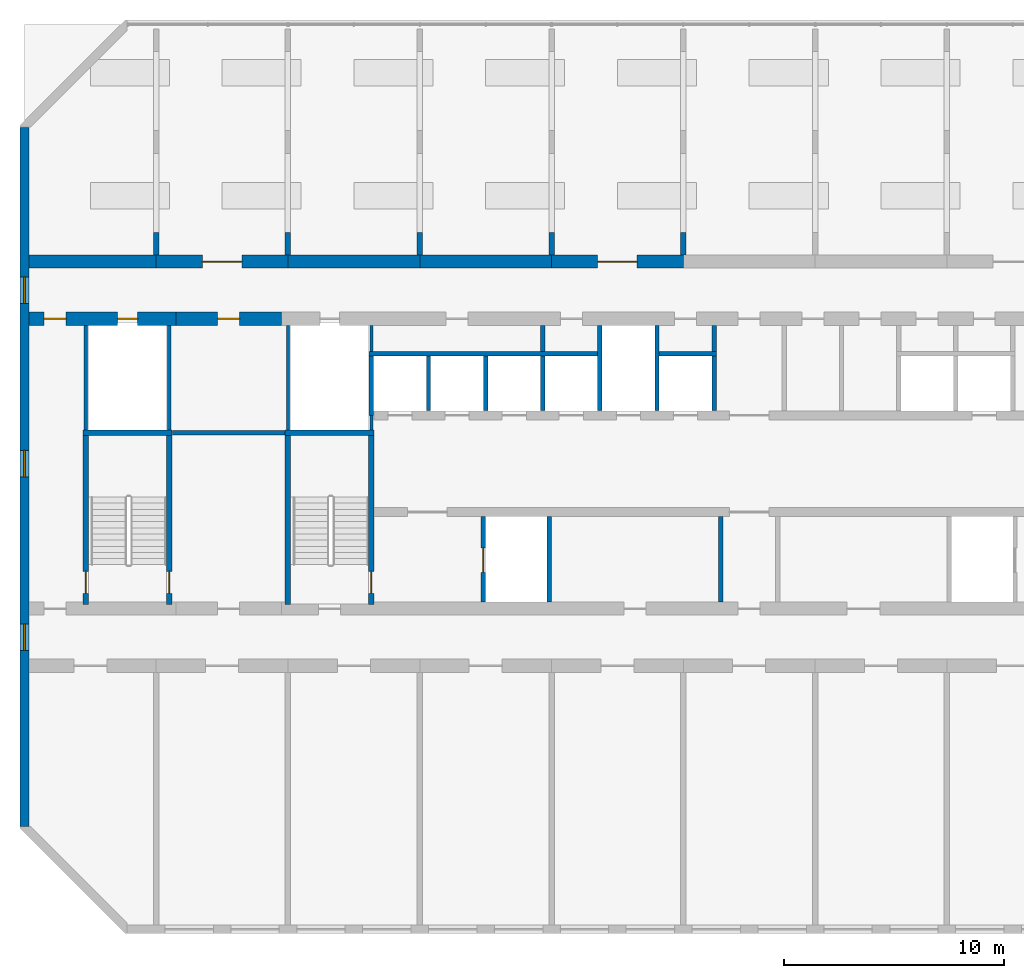
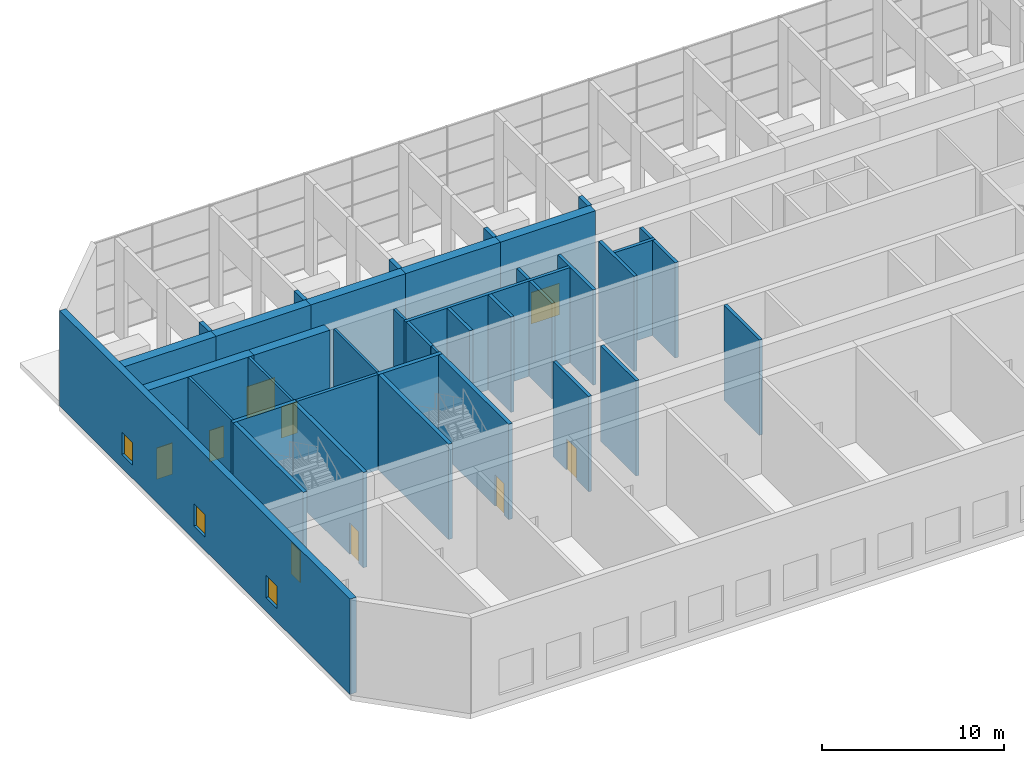
# One storey, part 6 of 13: 39 walls, 9 doors, 3 windows, 12 openings.
"""IFC4 building model written with IfcOpenShell, lengths in metres."""

from ifc_helpers import new_model, si_unit, direction, frame, frame_2d, origin, place, context, subcontext, project, spatial, rectangle, extrude, material, layer, layer_set, type_object, element, fill, save


model = new_model("IFC4")

# Units and contexts
model_context = context("Model", 3, precision=1e-05, world=origin(), true_north=direction((0.0, 1.0)))
body_context = subcontext(model_context, "Body", "Model", "MODEL_VIEW")
ifc_project = project(units=[si_unit("LENGTHUNIT", "METRE"), si_unit("AREAUNIT", "SQUARE_METRE"), si_unit("VOLUMEUNIT", "CUBIC_METRE"), si_unit("PLANEANGLEUNIT", "RADIAN"), si_unit("MASSUNIT", "GRAM", prefix="KILO")], contexts=[model_context])

# Site, building, storey
site_placement = place(None, origin())
site = spatial("IfcSite", under=ifc_project, at=site_placement, CompositionType="ELEMENT")
building_placement = place(site_placement, origin())
building = spatial("IfcBuilding", under=site, at=building_placement, Name="Poui Terraces", CompositionType="ELEMENT")
storey_placement = place(building_placement, frame((0.0, 0.0, 214.800048828125)))
storey = spatial("IfcBuildingStorey", under=building, at=storey_placement, Name="L60", CompositionType="ELEMENT", Elevation=214.800048828125)

# Wall
ifc_material_1 = material(Name="Concrete 50 MPa", Category="concrete")
ifc_layer_1 = layer(ifc_material_1, 0.60009765625)
ifc_layer_set_1 = layer_set([ifc_layer_1], Name="Concrete 50 MPa")
wall_type_1 = type_object("IfcWallType", Name="BELT WALL 600 50MPa", PredefinedType="SHEAR", material=ifc_layer_set_1)
wall_1_placement = place(storey_placement, frame((18.199951171875, 30.39990234375, 0.0), z_axis=(0.0, 0.0, 1.0), x_axis=(1.0, 0.0, 0.0)))
element("IfcWall", 1, at=wall_1_placement, inside=storey, type_object=wall_type_1, Name="BELT WALL LINE E BAY 1", PredefinedType="SHEAR", context=body_context, shape_type="SweptSolid", body=[
    extrude(rectangle(XDim=5.800048828125, YDim=0.60009765625, at=frame_2d((2.89990234375, 0.0))), origin(), (0.0, 0.0, 1.0), 6.3798828125),
])

# Wall, opening, door
wall_2_placement = place(storey_placement, frame((24.0, 30.39990234375, 0.0), z_axis=(0.0, 0.0, 1.0), x_axis=(1.0, 0.0, 0.0)))
wall_2 = element("IfcWall", 2, at=wall_2_placement, inside=storey, type_object=wall_type_1, Name="BELT WALL LINE E BAY 2", PredefinedType="SHEAR", context=body_context, shape_type="SweptSolid", body=[
    extrude(rectangle(XDim=6.0, YDim=0.60009765625, at=frame_2d((3.0, 0.0))), origin(), (0.0, 0.0, 1.0), 6.3798828125),
])
opening_1_placement = place(wall_2_placement, frame((2.10009765625, 0.0, 0.0)))
opening_1 = element("IfcOpeningElement", 3, at=opening_1_placement, cuts=wall_2, Name="Opening DD180", PredefinedType="OPENING", context=body_context, shape_type="SweptSolid", body=[
    extrude(rectangle(XDim=1.800048828125, YDim=2.10009765625, at=frame_2d((0.89990234375, 1.050048828125))), frame((0.0, 0.31005859375, 0.0), z_axis=(0.0, -1.0, 0.0), x_axis=(1.0, 0.0, 0.0)), (0.0, 0.0, 1.0), 0.6201171875),
])
ifc_material_2 = material(Name="Steel fire door", Category="steel")
door_type_1 = type_object("IfcDoorType", Name="DOUBLE INTERNAL DOOR 1800 X 2100", OperationType="DOUBLE_DOOR_SINGLE_SWING", PredefinedType="DOOR", material=ifc_material_2)
door_1_placement = place(opening_1_placement, frame((1.800048828125, 0.0, 0.0), z_axis=(0.0, 0.0, 1.0), x_axis=(-1.0, 0.0, 0.0)))
door_1 = element("IfcDoor", 4, at=door_1_placement, inside=storey, type_object=door_type_1, Name="DOUBLE INTERNAL DOOR 003", OperationType="DOUBLE_DOOR_SINGLE_SWING", OverallHeight=2.10009765625, OverallWidth=1.800048828125, PredefinedType="DOOR", context=body_context, shape_type="SweptSolid", body=[
    extrude(rectangle(XDim=1.800048828125, YDim=2.10009765625, at=frame_2d((0.89990234375, 1.050048828125))), frame((0.0, 0.02490234375, 0.0), z_axis=(0.0, -1.0, 0.0), x_axis=(1.0, 0.0, 0.0)), (0.0, 0.0, 1.0), 0.050048828125),
])
fill(opening_1, door_1)

# Walls
for number, where, z_axis, x_axis, name in (
    (5, (30.0, 30.39990234375, 0.0), (0.0, 0.0, 1.0), (1.0, 0.0, 0.0), "BELT WALL LINE E BAY 3"),
    (6, (36.0, 30.39990234375, 0.0), (0.0, 0.0, 1.0), (1.0, 0.0, 0.0), "BELT WALL LINE E BAY 4"),
):
    element("IfcWall", number, at=place(storey_placement, frame(where, z_axis=z_axis, x_axis=x_axis)), inside=storey, type_object=wall_type_1, Name=name, PredefinedType="SHEAR", context=body_context, shape_type="SweptSolid", body=[
        extrude(rectangle(XDim=6.0, YDim=0.60009765625, at=frame_2d((3.0, 0.0))), origin(), (0.0, 0.0, 1.0), 6.3798828125),
    ])

# Wall, opening, door
wall_3_placement = place(storey_placement, frame((42.0, 30.39990234375, 0.0), z_axis=(0.0, 0.0, 1.0), x_axis=(1.0, 0.0, 0.0)))
wall_3 = element("IfcWall", 7, at=wall_3_placement, inside=storey, type_object=wall_type_1, Name="BELT WALL LINE E BAY 5", PredefinedType="SHEAR", context=body_context, shape_type="SweptSolid", body=[
    extrude(rectangle(XDim=6.0, YDim=0.60009765625, at=frame_2d((3.0, 0.0))), origin(), (0.0, 0.0, 1.0), 6.3798828125),
])
opening_2_placement = place(wall_3_placement, frame((2.10009765625, 0.0, 0.0)))
opening_2 = element("IfcOpeningElement", 8, at=opening_2_placement, cuts=wall_3, Name="Opening DD180", PredefinedType="OPENING", context=body_context, shape_type="SweptSolid", body=[
    extrude(rectangle(XDim=1.800048828125, YDim=2.10009765625, at=frame_2d((0.89990234375, 1.050048828125))), frame((0.0, 0.31005859375, 0.0), z_axis=(0.0, -1.0, 0.0), x_axis=(1.0, 0.0, 0.0)), (0.0, 0.0, 1.0), 0.6201171875),
])
door_2_placement = place(opening_2_placement, frame((1.800048828125, 0.0, 0.0), z_axis=(0.0, 0.0, 1.0), x_axis=(-1.0, 0.0, 0.0)))
door_2 = element("IfcDoor", 9, at=door_2_placement, inside=storey, type_object=door_type_1, Name="DOUBLE INTERNAL DOOR 008", OperationType="DOUBLE_DOOR_SINGLE_SWING", OverallHeight=2.10009765625, OverallWidth=1.800048828125, PredefinedType="DOOR", context=body_context, shape_type="SweptSolid", body=[
    extrude(rectangle(XDim=1.800048828125, YDim=2.10009765625, at=frame_2d((0.89990234375, 1.050048828125))), frame((0.0, 0.02490234375, 0.0), z_axis=(0.0, -1.0, 0.0), x_axis=(1.0, 0.0, 0.0)), (0.0, 0.0, 1.0), 0.050048828125),
])
fill(opening_2, door_2)

# Wall, openings, windows
ifc_layer_2 = layer(ifc_material_1, 0.39990234375)
ifc_layer_set_2 = layer_set([ifc_layer_2], Name="Concrete 50 MPa")
wall_type_2 = type_object("IfcWallType", Name="END WALL 400 50MPa", PredefinedType="SHEAR", material=ifc_layer_set_2)
wall_4_placement = place(storey_placement, frame((18.0, 4.682861328125, 0.0), z_axis=(0.0, 0.0, 1.0), x_axis=(0.0, 1.0, 0.0)))
wall_4 = element("IfcWall", 10, at=wall_4_placement, inside=storey, type_object=wall_type_2, Name="END WALL WEST", PredefinedType="SHEAR", context=body_context, shape_type="SweptSolid", body=[
    extrude(rectangle(XDim=31.834228515625, YDim=0.39990234375, at=frame_2d((15.9169921875, 0.0))), origin(), (0.0, 0.0, 1.0), 6.3798828125),
])
opening_3_placement = place(wall_4_placement, frame((23.817138671875, 0.0, 0.89990234375)))
opening_3 = element("IfcOpeningElement", 11, at=opening_3_placement, cuts=wall_4, Name="Opening W2", PredefinedType="OPENING", context=body_context, shape_type="SweptSolid", body=[
    extrude(rectangle(XDim=1.199951171875, YDim=1.5, at=frame_2d((0.60009765625, 0.75))), frame((0.0, 0.2099609375, 0.0), z_axis=(0.0, -1.0, 0.0), x_axis=(1.0, 0.0, 0.0)), (0.0, 0.0, 1.0), 0.419921875),
])
opening_4_placement = place(wall_4_placement, frame((8.01708984375, 0.0, 0.89990234375)))
opening_4 = element("IfcOpeningElement", 12, at=opening_4_placement, cuts=wall_4, Name="Opening W2", PredefinedType="OPENING", context=body_context, shape_type="SweptSolid", body=[
    extrude(rectangle(XDim=1.199951171875, YDim=1.5, at=frame_2d((0.60009765625, 0.75))), frame((0.0, 0.2099609375, 0.0), z_axis=(0.0, -1.0, 0.0), x_axis=(1.0, 0.0, 0.0)), (0.0, 0.0, 1.0), 0.419921875),
])
opening_5_placement = place(wall_4_placement, frame((15.917236328125, 0.0, 0.89990234375)))
opening_5 = element("IfcOpeningElement", 13, at=opening_5_placement, cuts=wall_4, Name="Opening W2", PredefinedType="OPENING", context=body_context, shape_type="SweptSolid", body=[
    extrude(rectangle(XDim=1.199951171875, YDim=1.5, at=frame_2d((0.60009765625, 0.75))), frame((0.0, 0.2099609375, 0.0), z_axis=(0.0, -1.0, 0.0), x_axis=(1.0, 0.0, 0.0)), (0.0, 0.0, 1.0), 0.419921875),
])
ifc_material_3 = material(Name="Clear glass in aluminium frame", Category="aluminium")
window_type = type_object("IfcWindowType", Name="WINDOW 1200X1500", PartitioningType="SINGLE_PANEL", PredefinedType="WINDOW", material=ifc_material_3)
window_1_placement = place(opening_3_placement, origin())
window_1 = element("IfcWindow", 14, at=window_1_placement, inside=storey, type_object=window_type, Name="W2 WINDOW", OverallHeight=1.5, OverallWidth=1.199951171875, PartitioningType="SINGLE_PANEL", PredefinedType="WINDOW", context=body_context, shape_type="SweptSolid", body=[
    extrude(rectangle(XDim=1.199951171875, YDim=1.5, at=frame_2d((0.60009765625, 0.75))), frame((0.0, 0.030029296875, 0.0), z_axis=(0.0, -1.0, 0.0), x_axis=(1.0, 0.0, 0.0)), (0.0, 0.0, 1.0), 0.06005859375),
])
fill(opening_3, window_1)
window_2_placement = place(opening_4_placement, origin())
window_2 = element("IfcWindow", 15, at=window_2_placement, inside=storey, type_object=window_type, Name="W2 WINDOW", OverallHeight=1.5, OverallWidth=1.199951171875, PartitioningType="SINGLE_PANEL", PredefinedType="WINDOW", context=body_context, shape_type="SweptSolid", body=[
    extrude(rectangle(XDim=1.199951171875, YDim=1.5, at=frame_2d((0.60009765625, 0.75))), frame((0.0, 0.030029296875, 0.0), z_axis=(0.0, -1.0, 0.0), x_axis=(1.0, 0.0, 0.0)), (0.0, 0.0, 1.0), 0.06005859375),
])
fill(opening_4, window_2)
window_3_placement = place(opening_5_placement, origin())
window_3 = element("IfcWindow", 16, at=window_3_placement, inside=storey, type_object=window_type, Name="W2 WINDOW", OverallHeight=1.5, OverallWidth=1.199951171875, PartitioningType="SINGLE_PANEL", PredefinedType="WINDOW", context=body_context, shape_type="SweptSolid", body=[
    extrude(rectangle(XDim=1.199951171875, YDim=1.5, at=frame_2d((0.60009765625, 0.75))), frame((0.0, 0.030029296875, 0.0), z_axis=(0.0, -1.0, 0.0), x_axis=(1.0, 0.0, 0.0)), (0.0, 0.0, 1.0), 0.06005859375),
])
fill(opening_5, window_3)

# Wall, opening, door
ifc_layer_3 = layer(ifc_material_1, 0.60009765625)
ifc_layer_set_3 = layer_set([ifc_layer_3], Name="Concrete 50 MPa")
wall_type_3 = type_object("IfcWallType", Name="OUTRIGGER WALL 600 50MPa", PredefinedType="SHEAR", material=ifc_layer_set_3)
wall_5_placement = place(storey_placement, frame((24.89990234375, 27.800048828125, 0.0), z_axis=(0.0, 0.0, 1.0), x_axis=(1.0, 0.0, 0.0)))
wall_5 = element("IfcWall", 17, at=wall_5_placement, inside=storey, type_object=wall_type_3, Name="OUTRIGGER WALL LINE D W2", PredefinedType="SHEAR", context=body_context, shape_type="SweptSolid", body=[
    extrude(rectangle(XDim=4.800048828125, YDim=0.60009765625, at=frame_2d((2.39990234375, 0.0))), origin(), (0.0, 0.0, 1.0), 6.3798828125),
])
opening_6_placement = place(wall_5_placement, frame((1.89990234375, 0.0, 0.0)))
opening_6 = element("IfcOpeningElement", 18, at=opening_6_placement, cuts=wall_5, Name="Opening FD60", PredefinedType="OPENING", context=body_context, shape_type="SweptSolid", body=[
    extrude(rectangle(XDim=1.0, YDim=2.10009765625, at=frame_2d((0.5, 1.050048828125))), frame((0.0, 0.31005859375, 0.0), z_axis=(0.0, -1.0, 0.0), x_axis=(1.0, 0.0, 0.0)), (0.0, 0.0, 1.0), 0.6201171875),
])
door_type_2 = type_object("IfcDoorType", Name="SERVICE ROOM FIRE DOOR 1000 X 2100", OperationType="NOTDEFINED", PredefinedType="DOOR", material=ifc_material_2)
door_3_placement = place(opening_6_placement, origin())
door_3 = element("IfcDoor", 19, at=door_3_placement, inside=storey, type_object=door_type_2, Name="SERVICE ROOM FIRE DOOR 004", OperationType="SINGLE_SWING_LEFT", OverallHeight=2.10009765625, OverallWidth=1.0, PredefinedType="DOOR", context=body_context, shape_type="SweptSolid", body=[
    extrude(rectangle(XDim=1.0, YDim=2.10009765625, at=frame_2d((0.5, 1.050048828125))), frame((0.0, 0.02490234375, 0.0), z_axis=(0.0, -1.0, 0.0), x_axis=(1.0, 0.0, 0.0)), (0.0, 0.0, 1.0), 0.050048828125),
])
fill(opening_6, door_3)

# Walls
ifc_layer_4 = layer(ifc_material_1, 0.25)
ifc_layer_set_4 = layer_set([ifc_layer_4], Name="Concrete 50 MPa")
wall_type_4 = type_object("IfcWallType", Name="PIERCED CROSS WALL 250 50MPa", PredefinedType="SHEAR", material=ifc_layer_set_4)
for number, where, z_axis, x_axis, name in (
    (20, (24.0, 30.699951171875, 0.0), (0.0, 0.0, 1.0), (0.0, 1.0, 0.0), "PIER LINE 5 1"),
    (21, (30.0, 30.699951171875, 0.0), (0.0, 0.0, 1.0), (0.0, 1.0, 0.0), "PIER LINE 6 1"),
    (22, (36.0, 30.699951171875, 0.0), (0.0, 0.0, 1.0), (0.0, 1.0, 0.0), "PIER LINE 7 1"),
    (23, (42.0, 30.699951171875, 0.0), (0.0, 0.0, 1.0), (0.0, 1.0, 0.0), "PIER LINE 8 1"),
    (24, (48.0, 30.699951171875, 0.0), (0.0, 0.0, 1.0), (0.0, 1.0, 0.0), "PIER LINE 9 1"),
):
    element("IfcWall", number, at=place(storey_placement, frame(where, z_axis=z_axis, x_axis=x_axis)), inside=storey, type_object=wall_type_4, Name=name, PredefinedType="SHEAR", context=body_context, shape_type="SweptSolid", body=[
        extrude(rectangle(XDim=1.033447265625, YDim=0.25, at=frame_2d((0.5166015625, 0.0))), origin(), (0.0, 0.0, 1.0), 6.3798828125),
    ])
ifc_material_4 = material(Name="Fire-rated masonry wall", Category="masonry")
ifc_layer_5 = layer(ifc_material_4, 0.199951171875)
ifc_layer_set_5 = layer_set([ifc_layer_5], Name="Fire-rated masonry wall")
wall_type_5 = type_object("IfcWallType", Name="PLANT ROOM WALL 200", PredefinedType="PARTITIONING", material=ifc_layer_set_5)
for number, where, z_axis, x_axis, name in (
    (25, (41.60009765625, 26.300048828125, 0.0), (0.0, 0.0, 1.0), (0.0, 1.0, 0.0), "PLANT ROOM WALL 200"),
    (26, (49.39990234375, 26.300048828125, 0.0), (0.0, 0.0, 1.0), (0.0, 1.0, 0.0), "PLANT ROOM WALL 200"),
):
    element("IfcWall", number, at=place(storey_placement, frame(where, z_axis=z_axis, x_axis=x_axis)), inside=storey, type_object=wall_type_5, Name=name, PredefinedType="PARTITIONING", context=body_context, shape_type="SweptSolid", body=[
        extrude(rectangle(XDim=1.18994140625, YDim=0.199951171875, at=frame_2d((0.594970703125, 0.0))), origin(), (0.0, 0.0, 1.0), 6.3798828125),
    ])
wall_6_placement = place(storey_placement, frame((49.699951171875, 14.909912109375, 0.0), z_axis=(0.0, 0.0, 1.0), x_axis=(0.0, 1.0, 0.0)))
element("IfcWall", 27, at=wall_6_placement, inside=storey, type_object=wall_type_5, Name="PLANT ROOM WALL 200", PredefinedType="PARTITIONING", context=body_context, shape_type="SweptSolid", body=[
    extrude(rectangle(XDim=3.880126953125, YDim=0.199951171875, at=frame_2d((1.93994140625, 0.0))), origin(), (0.0, 0.0, 1.0), 6.3798828125),
])
ifc_layer_6 = layer(ifc_material_4, 0.199951171875)
ifc_layer_set_6 = layer_set([ifc_layer_6], Name="Fire-rated masonry wall")
wall_type_6 = type_object("IfcWallType", Name="REFUGE AREA WALL 200", PredefinedType="PARTITIONING", material=ifc_layer_set_6)
wall_7_placement = place(storey_placement, frame((24.735107421875, 22.60009765625, 0.0), z_axis=(0.0, 0.0, 1.0), x_axis=(1.0, 0.0, 0.0)))
element("IfcWall", 28, at=wall_7_placement, inside=storey, type_object=wall_type_6, Name="REFUGE AREA WALL 200", PredefinedType="PARTITIONING", context=body_context, shape_type="SweptSolid", body=[
    extrude(rectangle(XDim=5.1298828125, YDim=0.199951171875, at=frame_2d((2.56494140625, 0.0))), origin(), (0.0, 0.0, 1.0), 6.3798828125),
])
ifc_material_5 = material(Name="Fire-rated plasterboard riser wall")
ifc_layer_7 = layer(ifc_material_5, 0.14990234375)
ifc_layer_set_7 = layer_set([ifc_layer_7], Name="Fire-rated plasterboard riser wall")
wall_type_7 = type_object("IfcWallType", Name="RISER WALL 150", PredefinedType="PARTITIONING", material=ifc_layer_set_7)
for number, where, z_axis, x_axis, name in (
    (29, (20.800048828125, 22.735107421875, 0.0), (0.0, 0.0, 1.0), (0.0, 1.0, 0.0), "RISER WALL 150"),
    (30, (24.60009765625, 22.735107421875, 0.0), (0.0, 0.0, 1.0), (0.0, 1.0, 0.0), "RISER WALL 150"),
    (31, (30.0, 22.735107421875, 0.0), (0.0, 0.0, 1.0), (0.0, 1.0, 0.0), "RISER WALL 150"),
):
    element("IfcWall", number, at=place(storey_placement, frame(where, z_axis=z_axis, x_axis=x_axis)), inside=storey, type_object=wall_type_7, Name=name, PredefinedType="PARTITIONING", context=body_context, shape_type="SweptSolid", body=[
        extrude(rectangle(XDim=4.7548828125, YDim=0.14990234375, at=frame_2d((2.37744140625, 0.0))), origin(), (0.0, 0.0, 1.0), 6.3798828125),
    ])
wall_8_placement = place(storey_placement, frame((33.800048828125, 22.735107421875, 0.0), z_axis=(0.0, 0.0, 1.0), x_axis=(0.0, 1.0, 0.0)))
element("IfcWall", 32, at=wall_8_placement, inside=storey, type_object=wall_type_7, Name="RISER WALL 150", PredefinedType="PARTITIONING", context=body_context, shape_type="SweptSolid", body=[
    extrude(rectangle(XDim=0.664794921875, YDim=0.14990234375, at=frame_2d((0.33251953125, 0.0))), origin(), (0.0, 0.0, 1.0), 6.3798828125),
])
wall_9_placement = place(storey_placement, frame((33.800048828125, 26.300048828125, 0.0), z_axis=(0.0, 0.0, 1.0), x_axis=(0.0, 1.0, 0.0)))
element("IfcWall", 33, at=wall_9_placement, inside=storey, type_object=wall_type_7, Name="RISER WALL 150", PredefinedType="PARTITIONING", context=body_context, shape_type="SweptSolid", body=[
    extrude(rectangle(XDim=1.18994140625, YDim=0.14990234375, at=frame_2d((0.594970703125, 0.0))), origin(), (0.0, 0.0, 1.0), 6.3798828125),
])
ifc_material_6 = material(Name="Fire-rated masonry shaft wall", Category="masonry")
ifc_layer_8 = layer(ifc_material_6, 0.199951171875)
ifc_layer_set_8 = layer_set([ifc_layer_8], Name="Fire-rated masonry shaft wall")
wall_type_8 = type_object("IfcWallType", Name="SHAFT WALL 200", PredefinedType="PARTITIONING", material=ifc_layer_set_8)
wall_10_placement = place(storey_placement, frame((33.699951171875, 26.199951171875, 0.0), z_axis=(0.0, 0.0, 1.0), x_axis=(1.0, 0.0, 0.0)))
element("IfcWall", 34, at=wall_10_placement, inside=storey, type_object=wall_type_8, Name="SHAFT WALL 200", PredefinedType="PARTITIONING", context=body_context, shape_type="SweptSolid", body=[
    extrude(rectangle(XDim=10.400146484375, YDim=0.199951171875, at=frame_2d((5.2001953125, 0.0))), origin(), (0.0, 0.0, 1.0), 6.3798828125),
])
wall_11_placement = place(storey_placement, frame((46.89990234375, 26.199951171875, 0.0), z_axis=(0.0, 0.0, 1.0), x_axis=(1.0, 0.0, 0.0)))
element("IfcWall", 35, at=wall_11_placement, inside=storey, type_object=wall_type_8, Name="SHAFT WALL 200", PredefinedType="PARTITIONING", context=body_context, shape_type="SweptSolid", body=[
    extrude(rectangle(XDim=2.60009765625, YDim=0.199951171875, at=frame_2d((1.300048828125, 0.0))), origin(), (0.0, 0.0, 1.0), 6.3798828125),
])
wall_12_placement = place(storey_placement, frame((33.800048828125, 23.39990234375, 0.0), z_axis=(0.0, 0.0, 1.0), x_axis=(0.0, 1.0, 0.0)))
element("IfcWall", 36, at=wall_12_placement, inside=storey, type_object=wall_type_8, Name="SHAFT WALL 200", PredefinedType="PARTITIONING", context=body_context, shape_type="SweptSolid", body=[
    extrude(rectangle(XDim=2.7001953125, YDim=0.199951171875, at=frame_2d((1.35009765625, 0.0))), origin(), (0.0, 0.0, 1.0), 6.3798828125),
])
wall_13_placement = place(storey_placement, frame((36.39990234375, 23.610107421875, 0.0), z_axis=(0.0, 0.0, 1.0), x_axis=(0.0, 1.0, 0.0)))
element("IfcWall", 37, at=wall_13_placement, inside=storey, type_object=wall_type_8, Name="SHAFT WALL 200", PredefinedType="PARTITIONING", context=body_context, shape_type="SweptSolid", body=[
    extrude(rectangle(XDim=2.489990234375, YDim=0.199951171875, at=frame_2d((1.2451171875, 0.0))), origin(), (0.0, 0.0, 1.0), 6.3798828125),
])

# Wall, opening, door
wall_14_placement = place(storey_placement, frame((38.89990234375, 14.909912109375, 0.0), z_axis=(0.0, 0.0, 1.0), x_axis=(0.0, 1.0, 0.0)))
wall_14 = element("IfcWall", 38, at=wall_14_placement, inside=storey, type_object=wall_type_8, Name="SHAFT WALL 200", PredefinedType="PARTITIONING", context=body_context, shape_type="SweptSolid", body=[
    extrude(rectangle(XDim=3.880126953125, YDim=0.199951171875, at=frame_2d((1.93994140625, 0.0))), origin(), (0.0, 0.0, 1.0), 6.3798828125),
])
opening_7_placement = place(wall_14_placement, frame((1.340087890625, 0.0, 0.0)))
opening_7 = element("IfcOpeningElement", 39, at=opening_7_placement, cuts=wall_14, Name="Opening LD", PredefinedType="OPENING", context=body_context, shape_type="SweptSolid", body=[
    extrude(rectangle(XDim=1.10009765625, YDim=2.10009765625, at=frame_2d((0.550048828125, 1.050048828125))), frame((0.0, 0.10986328125, 0.0), z_axis=(0.0, -1.0, 0.0), x_axis=(1.0, 0.0, 0.0)), (0.0, 0.0, 1.0), 0.219970703125),
])
ifc_material_7 = material(Name="Stainless steel sliding door", Category="steel")
door_type_3 = type_object("IfcDoorType", Name="LIFT LANDING DOOR 1100 X 2100", OperationType="DOUBLE_DOOR_SLIDING", PredefinedType="DOOR", material=ifc_material_7)
door_4_placement = place(opening_7_placement, origin())
door_4 = element("IfcDoor", 40, at=door_4_placement, inside=storey, type_object=door_type_3, Name="LANDING DOOR", OperationType="DOUBLE_DOOR_SLIDING", OverallHeight=2.10009765625, OverallWidth=1.10009765625, PredefinedType="DOOR", context=body_context, shape_type="SweptSolid", body=[
    extrude(rectangle(XDim=1.10009765625, YDim=2.10009765625, at=frame_2d((0.550048828125, 1.050048828125))), frame((0.0, 0.02490234375, 0.0), z_axis=(0.0, -1.0, 0.0), x_axis=(1.0, 0.0, 0.0)), (0.0, 0.0, 1.0), 0.050048828125),
])
fill(opening_7, door_4)

# Walls
for number, where, z_axis, x_axis, name in (
    (41, (39.0, 23.610107421875, 0.0), (0.0, 0.0, 1.0), (0.0, 1.0, 0.0), "SHAFT WALL 200"),
    (42, (41.60009765625, 23.610107421875, 0.0), (0.0, 0.0, 1.0), (0.0, 1.0, 0.0), "SHAFT WALL 200"),
):
    element("IfcWall", number, at=place(storey_placement, frame(where, z_axis=z_axis, x_axis=x_axis)), inside=storey, type_object=wall_type_8, Name=name, PredefinedType="PARTITIONING", context=body_context, shape_type="SweptSolid", body=[
        extrude(rectangle(XDim=2.489990234375, YDim=0.199951171875, at=frame_2d((1.2451171875, 0.0))), origin(), (0.0, 0.0, 1.0), 6.3798828125),
    ])
wall_15_placement = place(storey_placement, frame((41.89990234375, 14.909912109375, 0.0), z_axis=(0.0, 0.0, 1.0), x_axis=(0.0, 1.0, 0.0)))
element("IfcWall", 43, at=wall_15_placement, inside=storey, type_object=wall_type_8, Name="SHAFT WALL 200", PredefinedType="PARTITIONING", context=body_context, shape_type="SweptSolid", body=[
    extrude(rectangle(XDim=3.880126953125, YDim=0.199951171875, at=frame_2d((1.93994140625, 0.0))), origin(), (0.0, 0.0, 1.0), 6.3798828125),
])
for number, where, z_axis, x_axis, name in (
    (44, (44.199951171875, 23.610107421875, 0.0), (0.0, 0.0, 1.0), (0.0, 1.0, 0.0), "SHAFT WALL 200"),
    (45, (46.800048828125, 23.610107421875, 0.0), (0.0, 0.0, 1.0), (0.0, 1.0, 0.0), "SHAFT WALL 200"),
):
    element("IfcWall", number, at=place(storey_placement, frame(where, z_axis=z_axis, x_axis=x_axis)), inside=storey, type_object=wall_type_8, Name=name, PredefinedType="PARTITIONING", context=body_context, shape_type="SweptSolid", body=[
        extrude(rectangle(XDim=3.8798828125, YDim=0.199951171875, at=frame_2d((1.93994140625, 0.0))), origin(), (0.0, 0.0, 1.0), 6.3798828125),
    ])
wall_16_placement = place(storey_placement, frame((49.39990234375, 23.610107421875, 0.0), z_axis=(0.0, 0.0, 1.0), x_axis=(0.0, 1.0, 0.0)))
element("IfcWall", 46, at=wall_16_placement, inside=storey, type_object=wall_type_8, Name="SHAFT WALL 200", PredefinedType="PARTITIONING", context=body_context, shape_type="SweptSolid", body=[
    extrude(rectangle(XDim=2.489990234375, YDim=0.199951171875, at=frame_2d((1.2451171875, 0.0))), origin(), (0.0, 0.0, 1.0), 6.3798828125),
])

# Wall, openings, doors
ifc_layer_9 = layer(ifc_material_1, 0.60009765625)
ifc_layer_set_9 = layer_set([ifc_layer_9], Name="Concrete 50 MPa")
wall_type_9 = type_object("IfcWallType", Name="SPINE WALL 600 50 MPA", PredefinedType="SOLIDWALL", material=ifc_layer_set_9)
wall_17_placement = place(storey_placement, frame((18.199951171875, 27.800048828125, 0.0), z_axis=(0.0, 0.0, 1.0), x_axis=(1.0, 0.0, 0.0)))
wall_17 = element("IfcWall", 47, at=wall_17_placement, inside=storey, type_object=wall_type_9, Name="SPINE WALL", PredefinedType="SOLIDWALL", context=body_context, shape_type="SweptSolid", body=[
    extrude(rectangle(XDim=6.699951171875, YDim=0.60009765625, at=frame_2d((3.35009765625, 0.0))), origin(), (0.0, 0.0, 1.0), 6.3798828125),
])
opening_8_placement = place(wall_17_placement, frame((0.699951171875, 0.0, 0.0)))
opening_8 = element("IfcOpeningElement", 48, at=opening_8_placement, cuts=wall_17, Name="Opening FDL", PredefinedType="OPENING", context=body_context, shape_type="SweptSolid", body=[
    extrude(rectangle(XDim=1.0, YDim=2.10009765625, at=frame_2d((0.5, 1.050048828125))), frame((0.0, 0.31005859375, 0.0), z_axis=(0.0, -1.0, 0.0), x_axis=(1.0, 0.0, 0.0)), (0.0, 0.0, 1.0), 0.6201171875),
])
opening_9_placement = place(wall_17_placement, frame((4.050048828125, 0.0, 0.0)))
opening_9 = element("IfcOpeningElement", 49, at=opening_9_placement, cuts=wall_17, Name="Opening FDR", PredefinedType="OPENING", context=body_context, shape_type="SweptSolid", body=[
    extrude(rectangle(XDim=0.89990234375, YDim=2.10009765625, at=frame_2d((0.449951171875, 1.050048828125))), frame((0.0, 0.31005859375, 0.0), z_axis=(0.0, -1.0, 0.0), x_axis=(1.0, 0.0, 0.0)), (0.0, 0.0, 1.0), 0.6201171875),
])
door_type_4 = type_object("IfcDoorType", Name="LOBBY FIRE DOOR 1000 X 2100", OperationType="NOTDEFINED", PredefinedType="DOOR", material=ifc_material_2)
door_5_placement = place(opening_8_placement, origin())
door_5 = element("IfcDoor", 50, at=door_5_placement, inside=storey, type_object=door_type_4, Name="LOBBY FIRE DOOR 001", OperationType="SINGLE_SWING_LEFT", OverallHeight=2.10009765625, OverallWidth=1.0, PredefinedType="DOOR", context=body_context, shape_type="SweptSolid", body=[
    extrude(rectangle(XDim=1.0, YDim=2.10009765625, at=frame_2d((0.5, 1.050048828125))), frame((0.0, 0.02490234375, 0.0), z_axis=(0.0, -1.0, 0.0), x_axis=(1.0, 0.0, 0.0)), (0.0, 0.0, 1.0), 0.050048828125),
])
fill(opening_8, door_5)
door_type_5 = type_object("IfcDoorType", Name="RISER CUPBOARD DOOR 900 X 2100", OperationType="NOTDEFINED", PredefinedType="DOOR", material=ifc_material_2)
door_6_placement = place(opening_9_placement, origin())
door_6 = element("IfcDoor", 51, at=door_6_placement, inside=storey, type_object=door_type_5, Name="RISER CUPBOARD DOOR 002", OperationType="SINGLE_SWING_LEFT", OverallHeight=2.10009765625, OverallWidth=0.89990234375, PredefinedType="DOOR", context=body_context, shape_type="SweptSolid", body=[
    extrude(rectangle(XDim=0.89990234375, YDim=2.10009765625, at=frame_2d((0.449951171875, 1.050048828125))), frame((0.0, 0.02490234375, 0.0), z_axis=(0.0, -1.0, 0.0), x_axis=(1.0, 0.0, 0.0)), (0.0, 0.0, 1.0), 0.050048828125),
])
fill(opening_9, door_6)

# Wall
ifc_layer_10 = layer(ifc_material_1, 0.25)
ifc_layer_set_10 = layer_set([ifc_layer_10], Name="Concrete 50 MPa")
wall_type_10 = type_object("IfcWallType", Name="STAIR CORE WALL 250 50 MPA", PredefinedType="SOLIDWALL", material=ifc_layer_set_10)
wall_18_placement = place(storey_placement, frame((30.0, 14.800048828125, 0.0), z_axis=(0.0, 0.0, 1.0), x_axis=(0.0, 1.0, 0.0)))
element("IfcWall", 52, at=wall_18_placement, inside=storey, type_object=wall_type_10, Name="STAIR CORE WALL", PredefinedType="SOLIDWALL", context=body_context, shape_type="SweptSolid", body=[
    extrude(rectangle(XDim=7.675048828125, YDim=0.25, at=frame_2d((3.83740234375, 0.0))), origin(), (0.0, 0.0, 1.0), 6.3798828125),
])

# Wall, opening, door
wall_19_placement = place(storey_placement, frame((33.800048828125, 14.800048828125, 0.0), z_axis=(0.0, 0.0, 1.0), x_axis=(0.0, 1.0, 0.0)))
wall_19 = element("IfcWall", 53, at=wall_19_placement, inside=storey, type_object=wall_type_10, Name="STAIR CORE WALL", PredefinedType="SOLIDWALL", context=body_context, shape_type="SweptSolid", body=[
    extrude(rectangle(XDim=7.675048828125, YDim=0.25, at=frame_2d((3.83740234375, 0.0))), origin(), (0.0, 0.0, 1.0), 6.3798828125),
])
opening_10_placement = place(wall_19_placement, frame((0.5, 0.0, 0.0)))
opening_10 = element("IfcOpeningElement", 54, at=opening_10_placement, cuts=wall_19, Name="Opening FD60S", PredefinedType="OPENING", context=body_context, shape_type="SweptSolid", body=[
    extrude(rectangle(XDim=1.0, YDim=2.10009765625, at=frame_2d((0.5, 1.050048828125))), frame((0.0, 0.135009765625, 0.0), z_axis=(0.0, -1.0, 0.0), x_axis=(1.0, 0.0, 0.0)), (0.0, 0.0, 1.0), 0.27001953125),
])
door_type_6 = type_object("IfcDoorType", Name="STAIR DOOR 1000 X 2100", OperationType="NOTDEFINED", PredefinedType="DOOR", material=ifc_material_2)
door_7_placement = place(opening_10_placement, origin())
door_7 = element("IfcDoor", 55, at=door_7_placement, inside=storey, type_object=door_type_6, Name="STAIR DOOR 044", OperationType="SINGLE_SWING_LEFT", OverallHeight=2.10009765625, OverallWidth=1.0, PredefinedType="DOOR", context=body_context, shape_type="SweptSolid", body=[
    extrude(rectangle(XDim=1.0, YDim=2.10009765625, at=frame_2d((0.5, 1.050048828125))), frame((0.0, 0.02490234375, 0.0), z_axis=(0.0, -1.0, 0.0), x_axis=(1.0, 0.0, 0.0)), (0.0, 0.0, 1.0), 0.050048828125),
])
fill(opening_10, door_7)

# Wall
wall_20_placement = place(storey_placement, frame((29.875, 22.60009765625, 0.0), z_axis=(0.0, 0.0, 1.0), x_axis=(1.0, 0.0, 0.0)))
element("IfcWall", 56, at=wall_20_placement, inside=storey, type_object=wall_type_10, Name="STAIR CORE WALL", PredefinedType="SOLIDWALL", context=body_context, shape_type="SweptSolid", body=[
    extrude(rectangle(XDim=4.050048828125, YDim=0.25, at=frame_2d((2.02490234375, 0.0))), origin(), (0.0, 0.0, 1.0), 6.3798828125),
])

# Wall, opening, door
wall_21_placement = place(storey_placement, frame((20.800048828125, 14.800048828125, 0.0), z_axis=(0.0, 0.0, 1.0), x_axis=(0.0, 1.0, 0.0)))
wall_21 = element("IfcWall", 57, at=wall_21_placement, inside=storey, type_object=wall_type_10, Name="STAIR CORE WALL", PredefinedType="SOLIDWALL", context=body_context, shape_type="SweptSolid", body=[
    extrude(rectangle(XDim=7.675048828125, YDim=0.25, at=frame_2d((3.83740234375, 0.0))), origin(), (0.0, 0.0, 1.0), 6.3798828125),
])
opening_11_placement = place(wall_21_placement, frame((0.5, 0.0, 0.0)))
opening_11 = element("IfcOpeningElement", 58, at=opening_11_placement, cuts=wall_21, Name="Opening FD60S", PredefinedType="OPENING", context=body_context, shape_type="SweptSolid", body=[
    extrude(rectangle(XDim=1.0, YDim=2.10009765625, at=frame_2d((0.5, 1.050048828125))), frame((0.0, 0.135009765625, 0.0), z_axis=(0.0, -1.0, 0.0), x_axis=(1.0, 0.0, 0.0)), (0.0, 0.0, 1.0), 0.27001953125),
])
door_8_placement = place(opening_11_placement, frame((1.0, 0.0, 0.0), z_axis=(0.0, 0.0, 1.0), x_axis=(-1.0, 0.0, 0.0)))
door_8 = element("IfcDoor", 59, at=door_8_placement, inside=storey, type_object=door_type_6, Name="STAIR DOOR 060", OperationType="SINGLE_SWING_RIGHT", OverallHeight=2.10009765625, OverallWidth=1.0, PredefinedType="DOOR", context=body_context, shape_type="SweptSolid", body=[
    extrude(rectangle(XDim=1.0, YDim=2.10009765625, at=frame_2d((0.5, 1.050048828125))), frame((0.0, 0.02490234375, 0.0), z_axis=(0.0, -1.0, 0.0), x_axis=(1.0, 0.0, 0.0)), (0.0, 0.0, 1.0), 0.050048828125),
])
fill(opening_11, door_8)

wall_22_placement = place(storey_placement, frame((24.60009765625, 14.800048828125, 0.0), z_axis=(0.0, 0.0, 1.0), x_axis=(0.0, 1.0, 0.0)))
wall_22 = element("IfcWall", 60, at=wall_22_placement, inside=storey, type_object=wall_type_10, Name="STAIR CORE WALL", PredefinedType="SOLIDWALL", context=body_context, shape_type="SweptSolid", body=[
    extrude(rectangle(XDim=7.675048828125, YDim=0.25, at=frame_2d((3.83740234375, 0.0))), origin(), (0.0, 0.0, 1.0), 6.3798828125),
])
opening_12_placement = place(wall_22_placement, frame((0.5, 0.0, 0.0)))
opening_12 = element("IfcOpeningElement", 61, at=opening_12_placement, cuts=wall_22, Name="Opening FDRF", PredefinedType="OPENING", context=body_context, shape_type="SweptSolid", body=[
    extrude(rectangle(XDim=1.0, YDim=2.10009765625, at=frame_2d((0.5, 1.050048828125))), frame((0.0, 0.135009765625, 0.0), z_axis=(0.0, -1.0, 0.0), x_axis=(1.0, 0.0, 0.0)), (0.0, 0.0, 1.0), 0.27001953125),
])
door_type_7 = type_object("IfcDoorType", Name="REFUGE AREA DOOR 1000 X 2100", OperationType="NOTDEFINED", PredefinedType="DOOR", material=ifc_material_2)
door_9_placement = place(opening_12_placement, origin())
door_9 = element("IfcDoor", 62, at=door_9_placement, inside=storey, type_object=door_type_7, Name="REFUGE AREA DOOR 058", OperationType="SINGLE_SWING_RIGHT", OverallHeight=2.10009765625, OverallWidth=1.0, PredefinedType="DOOR", context=body_context, shape_type="SweptSolid", body=[
    extrude(rectangle(XDim=1.0, YDim=2.10009765625, at=frame_2d((0.5, 1.050048828125))), frame((0.0, 0.02490234375, 0.0), z_axis=(0.0, -1.0, 0.0), x_axis=(1.0, 0.0, 0.0)), (0.0, 0.0, 1.0), 0.050048828125),
])
fill(opening_12, door_9)

# Wall
wall_23_placement = place(storey_placement, frame((20.675048828125, 22.60009765625, 0.0), z_axis=(0.0, 0.0, 1.0), x_axis=(1.0, 0.0, 0.0)))
element("IfcWall", 63, at=wall_23_placement, inside=storey, type_object=wall_type_10, Name="STAIR CORE WALL", PredefinedType="SOLIDWALL", context=body_context, shape_type="SweptSolid", body=[
    extrude(rectangle(XDim=4.050048828125, YDim=0.25, at=frame_2d((2.02490234375, 0.0))), origin(), (0.0, 0.0, 1.0), 6.3798828125),
])

save(model, "model.ifc")
